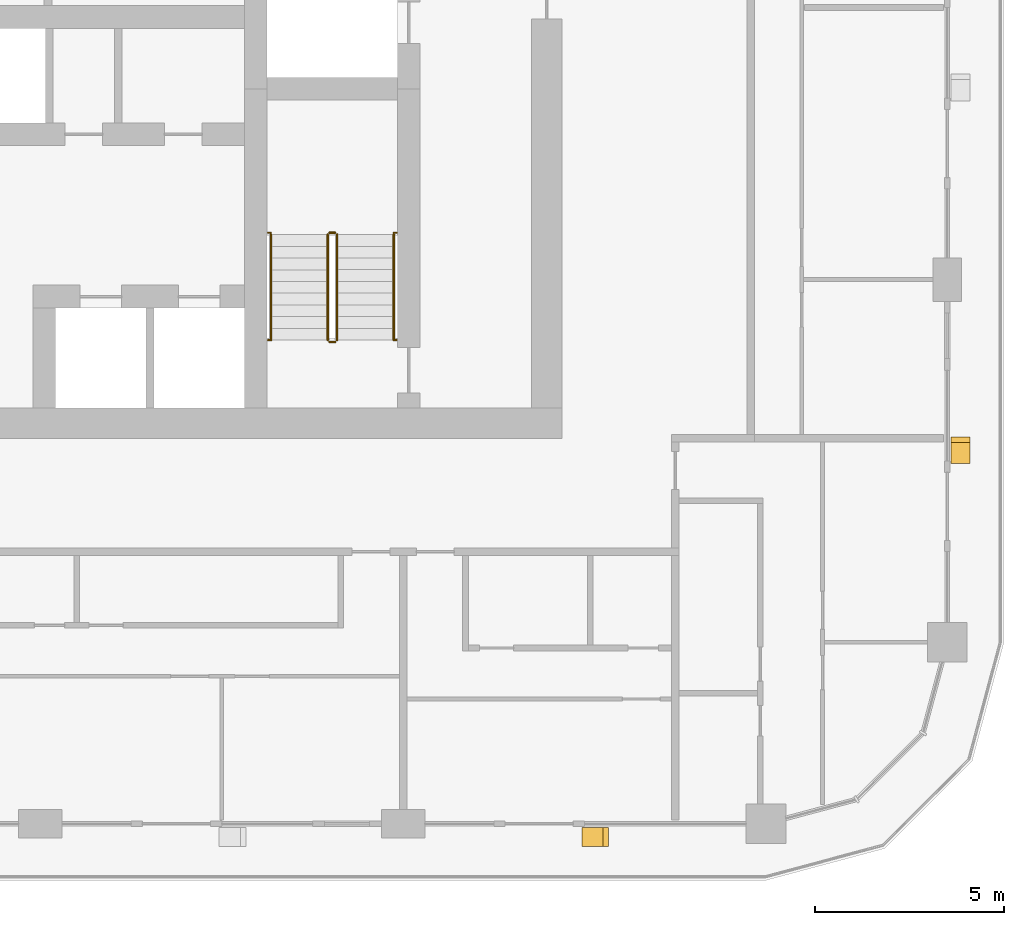
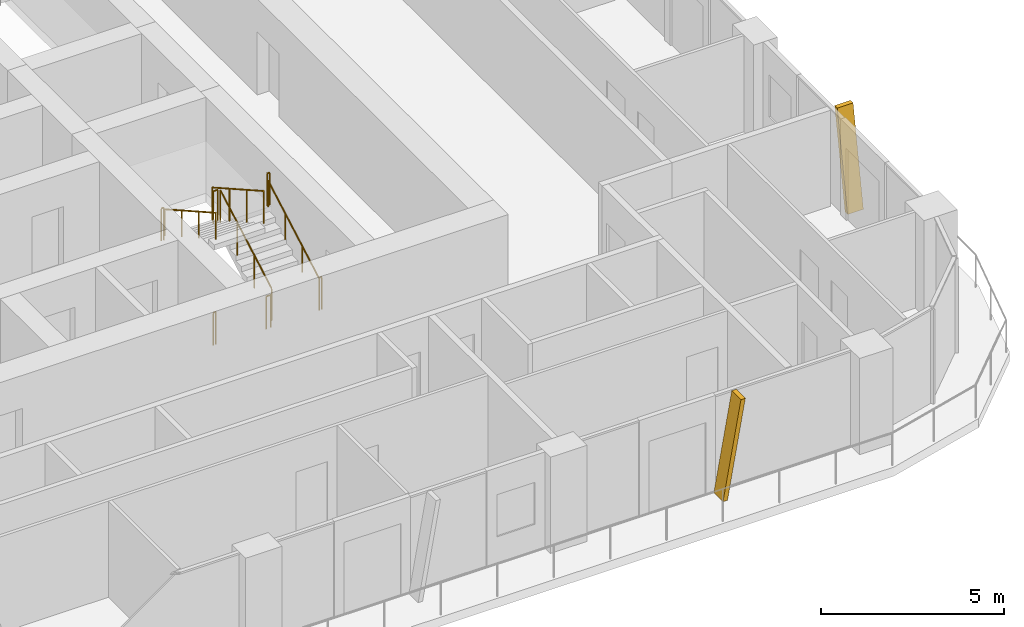
# One storey, part 19 of 22: 10 railings, 2 shading devices.
"""IFC4 building model written with IfcOpenShell, lengths in metres."""

from ifc_helpers import new_model, si_unit, direction, frame, origin, origin_2d, place, context, subcontext, project, spatial, polyline, circle, outline, extrude, material, type_object, element, save


model = new_model("IFC4")

# Units and contexts
model_context = context("Model", 3, precision=1e-05, world=origin(), true_north=direction((0.0, 1.0)))
body_context = subcontext(model_context, "Body", "Model", "MODEL_VIEW")
ifc_project = project(units=[si_unit("LENGTHUNIT", "METRE"), si_unit("AREAUNIT", "SQUARE_METRE"), si_unit("VOLUMEUNIT", "CUBIC_METRE"), si_unit("PLANEANGLEUNIT", "RADIAN"), si_unit("MASSUNIT", "GRAM", prefix="KILO")], contexts=[model_context])

# Site, building, storey
site_placement = place(None, origin())
site = spatial("IfcSite", under=ifc_project, at=site_placement, CompositionType="ELEMENT")
building_placement = place(site_placement, origin())
building = spatial("IfcBuilding", under=site, at=building_placement, Name="Madar Terraces", CompositionType="ELEMENT")
storey_placement = place(building_placement, frame((0.0, 0.0, 122.60009765625)))
storey = spatial("IfcBuildingStorey", under=building, at=storey_placement, Name="L31", CompositionType="ELEMENT", Elevation=122.60009765625)

# Shading devices
ifc_material_1 = material(Name="Aluminium, black anodised", Category="aluminium")
shading_device_type = type_object("IfcShadingDeviceType", Name="Facade fin blade 140 x 500", PredefinedType="USERDEFINED", material=ifc_material_1)
shading_device_1_placement = place(storey_placement, frame((47.929931640625, 4.449951171875, 0.0), z_axis=(0.0, 0.0, 1.0), x_axis=(1.0, 0.0, 0.0)))
element("IfcShadingDevice", 1, at=shading_device_1_placement, inside=storey, type_object=shading_device_type, Name="FIN L31 S5", ObjectType="FIN", PredefinedType="USERDEFINED", context=body_context, shape_type="SweptSolid", body=[
    extrude(outline(polyline([(0.0, 0.0), (0.14013671875, 0.0), (0.704345703125, 3.199951171875), (0.564208984375, 3.199951171875), (0.0, 0.0)])), frame((0.0, 0.25, 0.0), z_axis=(0.0, -1.0, 0.0), x_axis=(1.0, 0.0, 0.0)), (0.0, 0.0, 1.0), 0.5),
])
shading_device_2_placement = place(storey_placement, frame((57.949951171875, 14.330078125, 0.0), z_axis=(0.0, 0.0, 1.0), x_axis=(0.0, 1.0, 0.0)))
element("IfcShadingDevice", 2, at=shading_device_2_placement, inside=storey, type_object=shading_device_type, Name="FIN L31 E1", ObjectType="FIN", PredefinedType="USERDEFINED", context=body_context, shape_type="SweptSolid", body=[
    extrude(outline(polyline([(0.0, 0.0), (0.139892578125, 0.0), (0.704345703125, 3.199951171875), (0.564208984375, 3.199951171875), (0.0, 0.0)])), frame((0.0, 0.25, 0.0), z_axis=(0.0, -1.0, 0.0), x_axis=(1.0, 0.0, 0.0)), (0.0, 0.0, 1.0), 0.5),
])

# Railings
ifc_material_2 = material(Name="Stainless steel railing", Category="steel")
railing_type_1 = type_object("IfcRailingType", Name="Stair guard 1100", PredefinedType="GUARDRAIL", material=ifc_material_2)
railing_1_placement = place(storey_placement, frame((41.449951171875, 17.60009765625, 0.1748046875)))
element("IfcRailing", 3, at=railing_1_placement, inside=storey, type_object=railing_type_1, Name="L31 ST3 stair guard 1", PredefinedType="GUARDRAIL", context=body_context, shape_type="SweptSolid", body=[
    extrude(circle(Radius=0.02392578125, at=origin_2d()), frame((0.0, 0.0, 1.076171875), z_axis=(0.0, 0.870782738816, 0.491667999549), x_axis=(-1.0, 0.0, 0.0)), (0.0, 0.0, 1.0), 3.203857421875),
    extrude(circle(Radius=0.02099609375, at=origin_2d()), origin(), (0.0, 0.0, 1.0), 1.052001953125),
    extrude(circle(Radius=0.02099609375, at=origin_2d()), frame((0.0, 0.929931640625, 0.525146484375)), (0.0, 0.0, 1.0), 1.052001953125),
    extrude(circle(Radius=0.02099609375, at=origin_2d()), frame((0.0, 1.85986328125, 1.050048828125)), (0.0, 0.0, 1.0), 1.052001953125),
    extrude(circle(Radius=0.02099609375, at=origin_2d()), frame((0.0, 2.789794921875, 1.5751953125)), (0.0, 0.0, 1.0), 1.052001953125),
])
railing_2_placement = place(storey_placement, frame((41.39990234375, 20.43994140625, 1.75)))
element("IfcRailing", 4, at=railing_2_placement, inside=storey, type_object=railing_type_1, Name="L31 ST3 stair guard 2", PredefinedType="GUARDRAIL", context=body_context, shape_type="SweptSolid", body=[
    extrude(circle(Radius=0.02392578125, at=origin_2d()), frame((0.0, 0.0, 1.076171875), z_axis=(-1.0, 0.0, 0.0), x_axis=(0.0, -1.0, 0.0)), (0.0, 0.0, 1.0), 0.14990234375),
    extrude(circle(Radius=0.02099609375, at=origin_2d()), origin(), (0.0, 0.0, 1.0), 1.052001953125),
    extrude(circle(Radius=0.02099609375, at=origin_2d()), frame((-0.14990234375, 0.0, 0.0)), (0.0, 0.0, 1.0), 1.052001953125),
])
railing_3_placement = place(storey_placement, frame((41.199951171875, 20.389892578125, 1.9248046875)))
element("IfcRailing", 5, at=railing_3_placement, inside=storey, type_object=railing_type_1, Name="L31 ST3 stair guard 3", PredefinedType="GUARDRAIL", context=body_context, shape_type="SweptSolid", body=[
    extrude(circle(Radius=0.02392578125, at=origin_2d()), frame((0.0, 0.0, 1.076171875), z_axis=(0.0, -0.870782738816, 0.491667999549), x_axis=(1.0, 0.0, 0.0)), (0.0, 0.0, 1.0), 3.203857421875),
    extrude(circle(Radius=0.02099609375, at=origin_2d()), origin(), (0.0, 0.0, 1.0), 1.052001953125),
    extrude(circle(Radius=0.02099609375, at=origin_2d()), frame((0.0, -0.929931640625, 0.525146484375)), (0.0, 0.0, 1.0), 1.052001953125),
    extrude(circle(Radius=0.02099609375, at=origin_2d()), frame((0.0, -1.85986328125, 1.050048828125)), (0.0, 0.0, 1.0), 1.052001953125),
    extrude(circle(Radius=0.02099609375, at=origin_2d()), frame((0.0, -2.789794921875, 1.5751953125)), (0.0, 0.0, 1.0), 1.052001953125),
])
railing_4_placement = place(storey_placement, frame((41.39990234375, 17.550048828125, 0.0)))
element("IfcRailing", 6, at=railing_4_placement, inside=storey, type_object=railing_type_1, Name="L31 ST3 stair guard 4", PredefinedType="GUARDRAIL", context=body_context, shape_type="SweptSolid", body=[
    extrude(circle(Radius=0.02392578125, at=origin_2d()), frame((0.0, 0.0, 1.076171875), z_axis=(-1.0, 0.0, 0.0), x_axis=(0.0, -1.0, 0.0)), (0.0, 0.0, 1.0), 0.14990234375),
    extrude(circle(Radius=0.02099609375, at=origin_2d()), origin(), (0.0, 0.0, 1.0), 1.052001953125),
    extrude(circle(Radius=0.02099609375, at=origin_2d()), frame((-0.14990234375, 0.0, 0.0)), (0.0, 0.0, 1.0), 1.052001953125),
])
railing_5_placement = place(storey_placement, frame((39.6201171875, 20.43994140625, 1.75)))
element("IfcRailing", 7, at=railing_5_placement, inside=storey, type_object=railing_type_1, Name="L31 stair guard seat 1", PredefinedType="GUARDRAIL", context=body_context, shape_type="SweptSolid", body=[
    extrude(circle(Radius=0.02392578125, at=origin_2d()), frame((0.0, 0.0, 1.076171875), z_axis=(1.0, 0.0, 0.0), x_axis=(0.0, 1.0, 0.0)), (0.0, 0.0, 1.0), 0.079833984375),
    extrude(circle(Radius=0.02099609375, at=origin_2d()), origin(), (0.0, 0.0, 1.0), 1.052001953125),
    extrude(circle(Radius=0.02099609375, at=origin_2d()), frame((0.079833984375, 0.0, 0.0)), (0.0, 0.0, 1.0), 1.052001953125),
])
railing_6_placement = place(storey_placement, frame((42.949951171875, 20.43994140625, 1.75)))
element("IfcRailing", 8, at=railing_6_placement, inside=storey, type_object=railing_type_1, Name="L31 stair guard seat 2", PredefinedType="GUARDRAIL", context=body_context, shape_type="SweptSolid", body=[
    extrude(circle(Radius=0.02392578125, at=origin_2d()), frame((0.0, 0.0, 1.076171875), z_axis=(1.0, 0.0, 0.0), x_axis=(0.0, 1.0, 0.0)), (0.0, 0.0, 1.0), 0.080078125),
    extrude(circle(Radius=0.02099609375, at=origin_2d()), origin(), (0.0, 0.0, 1.0), 1.052001953125),
    extrude(circle(Radius=0.02099609375, at=origin_2d()), frame((0.080078125, 0.0, 0.0)), (0.0, 0.0, 1.0), 1.052001953125),
])
railing_7_placement = place(storey_placement, frame((39.6201171875, 17.60009765625, 0.0)))
element("IfcRailing", 9, at=railing_7_placement, inside=storey, type_object=railing_type_1, Name="L31 stair guard floor 1", PredefinedType="GUARDRAIL", context=body_context, shape_type="SweptSolid", body=[
    extrude(circle(Radius=0.02392578125, at=origin_2d()), frame((0.0, 0.0, 1.076171875), z_axis=(1.0, 0.0, 0.0), x_axis=(0.0, 1.0, 0.0)), (0.0, 0.0, 1.0), 0.079833984375),
    extrude(circle(Radius=0.02099609375, at=origin_2d()), origin(), (0.0, 0.0, 1.0), 1.052001953125),
    extrude(circle(Radius=0.02099609375, at=origin_2d()), frame((0.079833984375, 0.0, 0.0)), (0.0, 0.0, 1.0), 1.052001953125),
])
railing_8_placement = place(storey_placement, frame((42.949951171875, 17.60009765625, 0.0)))
element("IfcRailing", 10, at=railing_8_placement, inside=storey, type_object=railing_type_1, Name="L31 stair guard floor 2", PredefinedType="GUARDRAIL", context=body_context, shape_type="SweptSolid", body=[
    extrude(circle(Radius=0.02392578125, at=origin_2d()), frame((0.0, 0.0, 1.076171875), z_axis=(1.0, 0.0, 0.0), x_axis=(0.0, 1.0, 0.0)), (0.0, 0.0, 1.0), 0.080078125),
    extrude(circle(Radius=0.02099609375, at=origin_2d()), origin(), (0.0, 0.0, 1.0), 1.052001953125),
    extrude(circle(Radius=0.02099609375, at=origin_2d()), frame((0.080078125, 0.0, 0.0)), (0.0, 0.0, 1.0), 1.052001953125),
])
ifc_material_3 = material(Name="Stainless steel railing", Category="steel")
railing_type_2 = type_object("IfcRailingType", Name="Stair handrail 900", PredefinedType="HANDRAIL", material=ifc_material_3)
railing_9_placement = place(storey_placement, frame((42.949951171875, 17.60009765625, 0.1748046875)))
element("IfcRailing", 11, at=railing_9_placement, inside=storey, type_object=railing_type_2, Name="L31 ST3 stair handrail 1", PredefinedType="HANDRAIL", context=body_context, shape_type="SweptSolid", body=[
    extrude(circle(Radius=0.02392578125, at=origin_2d()), frame((0.0, 0.0, 0.8759765625), z_axis=(0.0, 0.870782738816, 0.491667999549), x_axis=(-1.0, 0.0, 0.0)), (0.0, 0.0, 1.0), 3.203857421875),
    extrude(circle(Radius=0.02099609375, at=origin_2d()), origin(), (0.0, 0.0, 1.0), 0.851806640625),
    extrude(circle(Radius=0.02099609375, at=origin_2d()), frame((0.0, 0.929931640625, 0.525146484375)), (0.0, 0.0, 1.0), 0.851806640625),
    extrude(circle(Radius=0.02099609375, at=origin_2d()), frame((0.0, 1.85986328125, 1.050048828125)), (0.0, 0.0, 1.0), 0.851806640625),
    extrude(circle(Radius=0.02099609375, at=origin_2d()), frame((0.0, 2.789794921875, 1.5751953125)), (0.0, 0.0, 1.0), 0.851806640625),
])
railing_10_placement = place(storey_placement, frame((39.699951171875, 20.389892578125, 1.9248046875)))
element("IfcRailing", 12, at=railing_10_placement, inside=storey, type_object=railing_type_2, Name="L31 ST3 stair handrail 2", PredefinedType="HANDRAIL", context=body_context, shape_type="SweptSolid", body=[
    extrude(circle(Radius=0.02392578125, at=origin_2d()), frame((0.0, 0.0, 0.8759765625), z_axis=(0.0, -0.870782738816, 0.491667999549), x_axis=(1.0, 0.0, 0.0)), (0.0, 0.0, 1.0), 3.203857421875),
    extrude(circle(Radius=0.02099609375, at=origin_2d()), origin(), (0.0, 0.0, 1.0), 0.851806640625),
    extrude(circle(Radius=0.02099609375, at=origin_2d()), frame((0.0, -0.929931640625, 0.525146484375)), (0.0, 0.0, 1.0), 0.851806640625),
    extrude(circle(Radius=0.02099609375, at=origin_2d()), frame((0.0, -1.85986328125, 1.050048828125)), (0.0, 0.0, 1.0), 0.851806640625),
    extrude(circle(Radius=0.02099609375, at=origin_2d()), frame((0.0, -2.789794921875, 1.5751953125)), (0.0, 0.0, 1.0), 0.851806640625),
])

save(model, "model.ifc")
